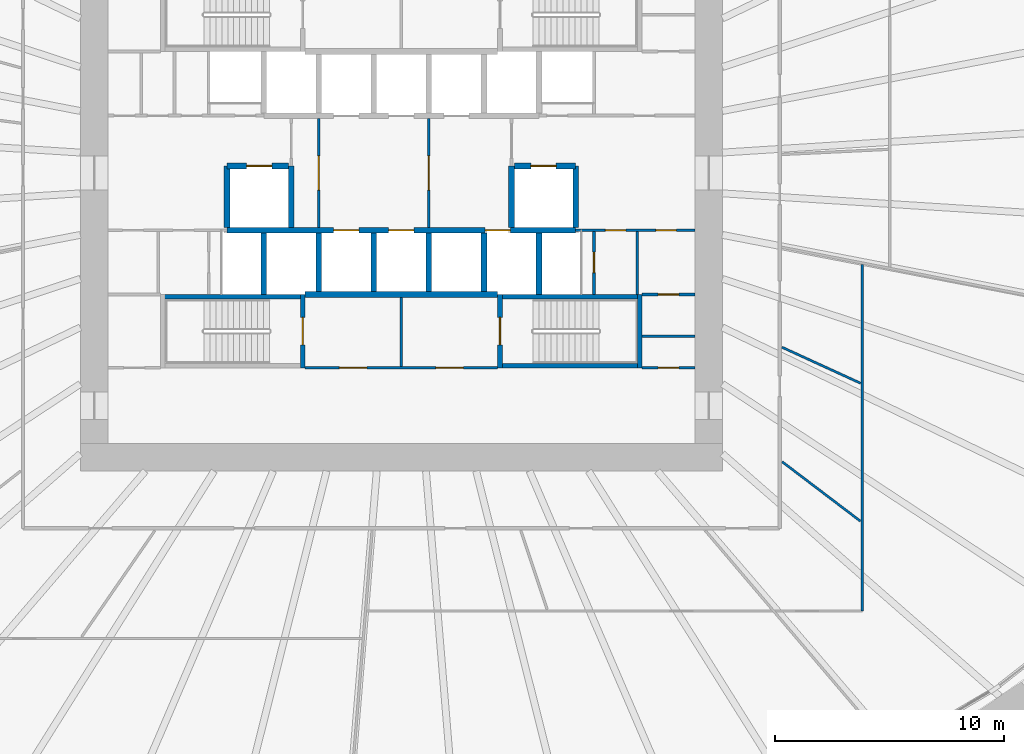
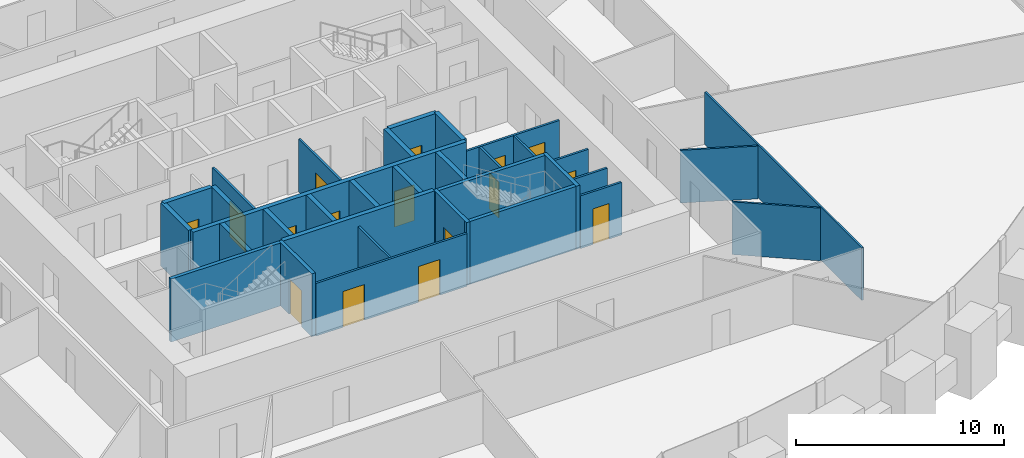
# One storey, part 7 of 11: 33 walls, 16 doors, 16 openings.
"""IFC4 building model written with IfcOpenShell, lengths in metres."""

from ifc_helpers import new_model, si_unit, direction, frame, frame_2d, origin, place, context, subcontext, project, spatial, rectangle, extrude, source, transform, mapped, material, layer, layer_set, type_object, element, fill, save


model = new_model("IFC4")

# Units and contexts
model_context = context("Model", 3, precision=1e-05, world=origin(), true_north=direction((0.0, 1.0)))
body_context = subcontext(model_context, "Body", "Model", "MODEL_VIEW")
ifc_project = project(units=[si_unit("LENGTHUNIT", "METRE"), si_unit("AREAUNIT", "SQUARE_METRE"), si_unit("VOLUMEUNIT", "CUBIC_METRE"), si_unit("PLANEANGLEUNIT", "RADIAN"), si_unit("MASSUNIT", "GRAM", prefix="KILO")], contexts=[model_context])

# Site, building, storey
site_placement = place(None, origin())
site = spatial("IfcSite", under=ifc_project, at=site_placement, CompositionType="ELEMENT")
building_placement = place(site_placement, origin())
building = spatial("IfcBuilding", under=site, at=building_placement, Name="Embergate Tower", CompositionType="ELEMENT")
storey_placement = place(building_placement, frame((0.0, 0.0, 109.39990234375)))
storey = spatial("IfcBuildingStorey", under=building, at=storey_placement, Name="L23", CompositionType="ELEMENT", Elevation=109.39990234375)

# Wall, opening, door
ifc_material_1 = material(Name="Core partition blockwork 120")
ifc_layer_1 = layer(ifc_material_1, 0.1201171875)
ifc_layer_set_1 = layer_set([ifc_layer_1], Name="Core partition blockwork 120")
wall_type_1 = type_object("IfcWallType", Name="Core partition blockwork 120", PredefinedType="PARTITIONING", material=ifc_layer_set_1)
shared_shape_1 = source(origin(), body_context, "Body", "SweptSolid", [
    extrude(rectangle(XDim=2.739990234375, YDim=0.1201171875, at=frame_2d((1.3701171875, 0.0))), origin(), (0.0, 0.0, 1.0), 3.10009765625),
])
wall_1_placement = place(storey_placement, frame((8.39990234375, -5.300048828125, 0.0), z_axis=(0.0, 0.0, 1.0), x_axis=(0.0, 1.0, 0.0)))
wall_1 = element("IfcWall", 1, at=wall_1_placement, inside=storey, type_object=wall_type_1, Name="IP-3 wall", PredefinedType="PARTITIONING", context=body_context, shape_type="MappedRepresentation", body=[
    mapped(shared_shape_1, transform((0.0, 0.0, 0.0))),
])
shared_shape_2 = source(origin(), body_context, "Body", "SweptSolid", [
    extrude(rectangle(XDim=0.89990234375, YDim=2.10009765625, at=frame_2d((0.449951171875, 1.050048828125))), frame((0.0, 0.070068359375, 0.0), z_axis=(0.0, -1.0, 0.0), x_axis=(1.0, 0.0, 0.0)), (0.0, 0.0, 1.0), 0.14013671875),
])
opening_1_placement = place(wall_1_placement, frame((0.949951171875, 0.0, 0.0)))
opening_1 = element("IfcOpeningElement", 2, at=opening_1_placement, cuts=wall_1, Name="Opening ID-1", PredefinedType="OPENING", context=body_context, shape_type="MappedRepresentation", body=[
    mapped(shared_shape_2, transform((0.0, 0.0, 0.0))),
])
ifc_material_2 = material(Name="Interior door 900")
door_type_1 = type_object("IfcDoorType", Name="Interior door 900", OperationType="SINGLE_SWING_LEFT", PredefinedType="DOOR", material=ifc_material_2)
shared_shape_3 = source(origin(), body_context, "Body", "SweptSolid", [
    extrude(rectangle(XDim=0.89990234375, YDim=2.10009765625, at=frame_2d((0.449951171875, 1.050048828125))), frame((0.0, 0.02490234375, 0.0), z_axis=(0.0, -1.0, 0.0), x_axis=(1.0, 0.0, 0.0)), (0.0, 0.0, 1.0), 0.050048828125),
])
door_1_placement = place(opening_1_placement, origin())
door_1 = element("IfcDoor", 3, at=door_1_placement, inside=storey, type_object=door_type_1, Name="ID-1 door", OperationType="SINGLE_SWING_RIGHT", OverallHeight=2.10009765625, OverallWidth=0.89990234375, PredefinedType="DOOR", context=body_context, shape_type="MappedRepresentation", body=[
    mapped(shared_shape_3, transform((0.0, 0.0, 0.0))),
])
fill(opening_1, door_1)

# Wall
wall_2_placement = place(storey_placement, frame((10.2919921875, -5.300048828125, 0.0), z_axis=(0.0, 0.0, 1.0), x_axis=(0.0, 1.0, 0.0)))
element("IfcWall", 4, at=wall_2_placement, inside=storey, type_object=wall_type_1, Name="IP-3 wall", PredefinedType="PARTITIONING", context=body_context, shape_type="MappedRepresentation", body=[
    mapped(shared_shape_1, transform((0.0, 0.0, 0.0))),
])

# Wall, openings, doors
shared_shape_4 = source(origin(), body_context, "Body", "SweptSolid", [
    extrude(rectangle(XDim=5.199951171875, YDim=0.1201171875, at=frame_2d((2.60009765625, 0.0))), origin(), (0.0, 0.0, 1.0), 3.10009765625),
])
wall_3_placement = place(storey_placement, frame((12.800048828125, -2.5, 0.0), z_axis=(0.0, 0.0, 1.0), x_axis=(-1.0, 0.0, 0.0)))
wall_3 = element("IfcWall", 5, at=wall_3_placement, inside=storey, type_object=wall_type_1, Name="IP-3 wall", PredefinedType="PARTITIONING", context=body_context, shape_type="MappedRepresentation", body=[
    mapped(shared_shape_4, transform((0.0, 0.0, 0.0))),
])
opening_2_placement = place(wall_3_placement, frame((3.00390625, 0.0, 0.0)))
opening_2 = element("IfcOpeningElement", 6, at=opening_2_placement, cuts=wall_3, Name="Opening ID-1", PredefinedType="OPENING", context=body_context, shape_type="MappedRepresentation", body=[
    mapped(shared_shape_2, transform((0.0, 0.0, 0.0))),
])
opening_3_placement = place(wall_3_placement, frame((0.803955078125, 0.0, 0.0)))
opening_3 = element("IfcOpeningElement", 7, at=opening_3_placement, cuts=wall_3, Name="Opening ID-1", PredefinedType="OPENING", context=body_context, shape_type="MappedRepresentation", body=[
    mapped(shared_shape_2, transform((0.0, 0.0, 0.0))),
])
door_2_placement = place(opening_2_placement, origin())
door_2 = element("IfcDoor", 8, at=door_2_placement, inside=storey, type_object=door_type_1, Name="ID-1 door", OperationType="SINGLE_SWING_RIGHT", OverallHeight=2.10009765625, OverallWidth=0.89990234375, PredefinedType="DOOR", context=body_context, shape_type="MappedRepresentation", body=[
    mapped(shared_shape_3, transform((0.0, 0.0, 0.0))),
])
fill(opening_2, door_2)
door_3_placement = place(opening_3_placement, origin())
door_3 = element("IfcDoor", 9, at=door_3_placement, inside=storey, type_object=door_type_1, Name="ID-1 door", OperationType="SINGLE_SWING_RIGHT", OverallHeight=2.10009765625, OverallWidth=0.89990234375, PredefinedType="DOOR", context=body_context, shape_type="MappedRepresentation", body=[
    mapped(shared_shape_3, transform((0.0, 0.0, 0.0))),
])
fill(opening_3, door_3)

# Wall, opening, door
shared_shape_5 = source(origin(), body_context, "Body", "SweptSolid", [
    extrude(rectangle(XDim=4.75, YDim=0.1201171875, at=frame_2d((2.375, 0.0))), origin(), (0.0, 0.0, 1.0), 3.10009765625),
])
wall_4_placement = place(storey_placement, frame((-3.60009765625, -2.375, 0.0), z_axis=(0.0, 0.0, 1.0), x_axis=(0.0, 1.0, 0.0)))
wall_4 = element("IfcWall", 10, at=wall_4_placement, inside=storey, type_object=wall_type_1, Name="IP-3 wall", PredefinedType="PARTITIONING", context=body_context, shape_type="MappedRepresentation", body=[
    mapped(shared_shape_5, transform((0.0, 0.0, 0.0))),
])
shared_shape_6 = source(origin(), body_context, "Body", "SweptSolid", [
    extrude(rectangle(XDim=1.5, YDim=2.10009765625, at=frame_2d((0.75, 1.050048828125))), frame((0.0, 0.070068359375, 0.0), z_axis=(0.0, -1.0, 0.0), x_axis=(1.0, 0.0, 0.0)), (0.0, 0.0, 1.0), 0.14013671875),
])
opening_4_placement = place(wall_4_placement, frame((1.625, 0.0, 0.0)))
opening_4 = element("IfcOpeningElement", 11, at=opening_4_placement, cuts=wall_4, Name="Opening IF-3", PredefinedType="OPENING", context=body_context, shape_type="MappedRepresentation", body=[
    mapped(shared_shape_6, transform((0.0, 0.0, 0.0))),
])
ifc_material_3 = material(Name="Lobby fire door pair 1500")
door_type_2 = type_object("IfcDoorType", Name="Lobby fire door pair 1500", OperationType="DOUBLE_DOOR_SINGLE_SWING", PredefinedType="DOOR", material=ifc_material_3)
shared_shape_7 = source(origin(), body_context, "Body", "SweptSolid", [
    extrude(rectangle(XDim=1.5, YDim=2.10009765625, at=frame_2d((0.75, 1.050048828125))), frame((0.0, 0.02490234375, 0.0), z_axis=(0.0, -1.0, 0.0), x_axis=(1.0, 0.0, 0.0)), (0.0, 0.0, 1.0), 0.050048828125),
])
door_4_placement = place(opening_4_placement, origin())
door_4 = element("IfcDoor", 12, at=door_4_placement, inside=storey, type_object=door_type_2, Name="IF-3 door", OperationType="DOUBLE_DOOR_SINGLE_SWING", OverallHeight=2.10009765625, OverallWidth=1.5, PredefinedType="DOOR", context=body_context, shape_type="MappedRepresentation", body=[
    mapped(shared_shape_7, transform((0.0, 0.0, 0.0))),
])
fill(opening_4, door_4)

wall_5_placement = place(storey_placement, frame((1.199951171875, -2.375, 0.0), z_axis=(0.0, 0.0, 1.0), x_axis=(0.0, 1.0, 0.0)))
wall_5 = element("IfcWall", 13, at=wall_5_placement, inside=storey, type_object=wall_type_1, Name="IP-3 wall", PredefinedType="PARTITIONING", context=body_context, shape_type="MappedRepresentation", body=[
    mapped(shared_shape_5, transform((0.0, 0.0, 0.0))),
])
opening_5_placement = place(wall_5_placement, frame((1.625, 0.0, 0.0)))
opening_5 = element("IfcOpeningElement", 14, at=opening_5_placement, cuts=wall_5, Name="Opening IF-3", PredefinedType="OPENING", context=body_context, shape_type="MappedRepresentation", body=[
    mapped(shared_shape_6, transform((0.0, 0.0, 0.0))),
])
door_5_placement = place(opening_5_placement, origin())
door_5 = element("IfcDoor", 15, at=door_5_placement, inside=storey, type_object=door_type_2, Name="IF-3 door", OperationType="DOUBLE_DOOR_SINGLE_SWING", OverallHeight=2.10009765625, OverallWidth=1.5, PredefinedType="DOOR", context=body_context, shape_type="MappedRepresentation", body=[
    mapped(shared_shape_7, transform((0.0, 0.0, 0.0))),
])
fill(opening_5, door_5)

# Wall
shared_shape_8 = source(origin(), body_context, "Body", "SweptSolid", [
    extrude(rectangle(XDim=3.014892578125, YDim=0.1201171875, at=frame_2d((1.50732421875, 0.0))), origin(), (0.0, 0.0, 1.0), 3.10009765625),
])
wall_6_placement = place(storey_placement, frame((0.0, -8.43994140625, 0.0), z_axis=(0.0, 0.0, 1.0), x_axis=(0.0, 1.0, 0.0)))
element("IfcWall", 16, at=wall_6_placement, inside=storey, type_object=wall_type_1, Name="IP-3 wall", PredefinedType="PARTITIONING", context=body_context, shape_type="MappedRepresentation", body=[
    mapped(shared_shape_8, transform((0.0, 0.0, 0.0))),
])

# Wall, openings, doors
shared_shape_9 = source(origin(), body_context, "Body", "SweptSolid", [
    extrude(rectangle(XDim=8.39990234375, YDim=0.1201171875, at=frame_2d((4.199951171875, 0.0))), origin(), (0.0, 0.0, 1.0), 3.10009765625),
])
wall_7_placement = place(storey_placement, frame((-4.199951171875, -8.5, 0.0), z_axis=(0.0, 0.0, 1.0), x_axis=(1.0, 0.0, 0.0)))
wall_7 = element("IfcWall", 17, at=wall_7_placement, inside=storey, type_object=wall_type_1, Name="IP-3 wall", PredefinedType="PARTITIONING", context=body_context, shape_type="MappedRepresentation", body=[
    mapped(shared_shape_9, transform((0.0, 0.0, 0.0))),
])
shared_shape_10 = source(origin(), body_context, "Body", "SweptSolid", [
    extrude(rectangle(XDim=1.199951171875, YDim=2.10009765625, at=frame_2d((0.60009765625, 1.050048828125))), frame((0.0, 0.070068359375, 0.0), z_axis=(0.0, -1.0, 0.0), x_axis=(1.0, 0.0, 0.0)), (0.0, 0.0, 1.0), 0.14013671875),
])
opening_6_placement = place(wall_7_placement, frame((1.5, 0.0, 0.0)))
opening_6 = element("IfcOpeningElement", 18, at=opening_6_placement, cuts=wall_7, Name="Opening IF-3f", PredefinedType="OPENING", context=body_context, shape_type="MappedRepresentation", body=[
    mapped(shared_shape_10, transform((0.0, 0.0, 0.0))),
])
opening_7_placement = place(wall_7_placement, frame((5.699951171875, 0.0, 0.0)))
opening_7 = element("IfcOpeningElement", 19, at=opening_7_placement, cuts=wall_7, Name="Opening IF-3f", PredefinedType="OPENING", context=body_context, shape_type="MappedRepresentation", body=[
    mapped(shared_shape_10, transform((0.0, 0.0, 0.0))),
])
ifc_material_4 = material(Name="Lobby fire door pair 1200")
door_type_3 = type_object("IfcDoorType", Name="Lobby fire door pair 1200", OperationType="DOUBLE_DOOR_SINGLE_SWING", PredefinedType="DOOR", material=ifc_material_4)
shared_shape_11 = source(origin(), body_context, "Body", "SweptSolid", [
    extrude(rectangle(XDim=1.199951171875, YDim=2.10009765625, at=frame_2d((0.60009765625, 1.050048828125))), frame((0.0, 0.02490234375, 0.0), z_axis=(0.0, -1.0, 0.0), x_axis=(1.0, 0.0, 0.0)), (0.0, 0.0, 1.0), 0.050048828125),
])
door_6_placement = place(opening_6_placement, origin())
door_6 = element("IfcDoor", 20, at=door_6_placement, inside=storey, type_object=door_type_3, Name="IF-3 door", OperationType="DOUBLE_DOOR_SINGLE_SWING", OverallHeight=2.10009765625, OverallWidth=1.199951171875, PredefinedType="DOOR", context=body_context, shape_type="MappedRepresentation", body=[
    mapped(shared_shape_11, transform((0.0, 0.0, 0.0))),
])
fill(opening_6, door_6)
door_7_placement = place(opening_7_placement, origin())
door_7 = element("IfcDoor", 21, at=door_7_placement, inside=storey, type_object=door_type_3, Name="IF-3 door", OperationType="DOUBLE_DOOR_SINGLE_SWING", OverallHeight=2.10009765625, OverallWidth=1.199951171875, PredefinedType="DOOR", context=body_context, shape_type="MappedRepresentation", body=[
    mapped(shared_shape_11, transform((0.0, 0.0, 0.0))),
])
fill(opening_7, door_7)

# Wall, opening, door
shared_shape_12 = source(origin(), body_context, "Body", "SweptSolid", [
    extrude(rectangle(XDim=2.300048828125, YDim=0.1201171875, at=frame_2d((1.14990234375, 0.0))), origin(), (0.0, 0.0, 1.0), 3.10009765625),
])
wall_8_placement = place(storey_placement, frame((12.800048828125, -8.5, 0.0), z_axis=(0.0, 0.0, 1.0), x_axis=(-1.0, 0.0, 0.0)))
wall_8 = element("IfcWall", 22, at=wall_8_placement, inside=storey, type_object=wall_type_1, Name="IP-3 wall", PredefinedType="PARTITIONING", context=body_context, shape_type="MappedRepresentation", body=[
    mapped(shared_shape_12, transform((0.0, 0.0, 0.0))),
])
opening_8_placement = place(wall_8_placement, frame((0.699951171875, 0.0, 0.0)))
opening_8 = element("IfcOpeningElement", 23, at=opening_8_placement, cuts=wall_8, Name="Opening ID-1", PredefinedType="OPENING", context=body_context, shape_type="MappedRepresentation", body=[
    mapped(shared_shape_2, transform((0.0, 0.0, 0.0))),
])
door_8_placement = place(opening_8_placement, origin())
door_8 = element("IfcDoor", 24, at=door_8_placement, inside=storey, type_object=door_type_1, Name="ID-1 door", OperationType="SINGLE_SWING_RIGHT", OverallHeight=2.10009765625, OverallWidth=0.89990234375, PredefinedType="DOOR", context=body_context, shape_type="MappedRepresentation", body=[
    mapped(shared_shape_3, transform((0.0, 0.0, 0.0))),
])
fill(opening_8, door_8)

wall_9_placement = place(storey_placement, frame((10.5, -5.300048828125, 0.0), z_axis=(0.0, 0.0, 1.0), x_axis=(1.0, 0.0, 0.0)))
wall_9 = element("IfcWall", 25, at=wall_9_placement, inside=storey, type_object=wall_type_1, Name="IP-3 wall", PredefinedType="PARTITIONING", context=body_context, shape_type="MappedRepresentation", body=[
    mapped(shared_shape_12, transform((0.0, 0.0, 0.0))),
])
opening_9_placement = place(wall_9_placement, frame((0.699951171875, 0.0, 0.0)))
opening_9 = element("IfcOpeningElement", 26, at=opening_9_placement, cuts=wall_9, Name="Opening ID-1", PredefinedType="OPENING", context=body_context, shape_type="MappedRepresentation", body=[
    mapped(shared_shape_2, transform((0.0, 0.0, 0.0))),
])
door_9_placement = place(opening_9_placement, origin())
door_9 = element("IfcDoor", 27, at=door_9_placement, inside=storey, type_object=door_type_1, Name="ID-1 door", OperationType="SINGLE_SWING_LEFT", OverallHeight=2.10009765625, OverallWidth=0.89990234375, PredefinedType="DOOR", context=body_context, shape_type="MappedRepresentation", body=[
    mapped(shared_shape_3, transform((0.0, 0.0, 0.0))),
])
fill(opening_9, door_9)

# Walls
wall_10_placement = place(storey_placement, frame((12.800048828125, -7.1240234375, 0.0), z_axis=(0.0, 0.0, 1.0), x_axis=(-1.0, 0.0, 0.0)))
element("IfcWall", 28, at=wall_10_placement, inside=storey, type_object=wall_type_1, Name="IP-3 wall", PredefinedType="PARTITIONING", context=body_context, shape_type="MappedRepresentation", body=[
    mapped(shared_shape_12, transform((0.0, 0.0, 0.0))),
])
ifc_material_5 = material(Name="Concrete C50", Category="concrete")
ifc_layer_2 = layer(ifc_material_5, 0.25)
ifc_layer_set_2 = layer_set([ifc_layer_2], Name="Concrete C50")
wall_type_2 = type_object("IfcWallType", Name="Hoistway wall reinforced concrete 250", PredefinedType="SHEAR", material=ifc_layer_set_2)
shared_shape_13 = source(origin(), body_context, "Body", "SweptSolid", [
    extrude(rectangle(XDim=2.675048828125, YDim=0.25, at=frame_2d((1.33740234375, 0.0))), origin(), (0.0, 0.0, 1.0), 3.7001953125),
])
for number, where, z_axis, x_axis, name in (
    (29, (-6.0, -5.300048828125, 0.0), (0.0, 0.0, 1.0), (0.0, 1.0, 0.0), "HW-1 wall"),
    (30, (6.0, -5.300048828125, 0.0), (0.0, 0.0, 1.0), (0.0, 1.0, 0.0), "HW-1 wall"),
    (31, (-4.800048828125, 0.300048828125, 0.0), (0.0, 0.0, 1.0), (0.0, -1.0, 0.0), "HW-1 wall"),
    (32, (4.800048828125, -2.375, 0.0), (0.0, 0.0, 1.0), (0.0, 1.0, 0.0), "HW-1 wall"),
):
    element("IfcWall", number, at=place(storey_placement, frame(where, z_axis=z_axis, x_axis=x_axis)), inside=storey, type_object=wall_type_2, Name=name, PredefinedType="SHEAR", context=body_context, shape_type="MappedRepresentation", body=[
        mapped(shared_shape_13, transform((0.0, 0.0, 0.0))),
    ])

# Wall, opening, door
wall_11_placement = place(storey_placement, frame((-4.925048828125, 0.300048828125, 0.0), z_axis=(0.0, 0.0, 1.0), x_axis=(-1.0, 0.0, 0.0)))
wall_11 = element("IfcWall", 33, at=wall_11_placement, inside=storey, type_object=wall_type_2, Name="HW-1 wall", PredefinedType="SHEAR", context=body_context, shape_type="MappedRepresentation", body=[
    mapped(shared_shape_13, transform((0.0, 0.0, 0.0))),
])
shared_shape_14 = source(origin(), body_context, "Body", "SweptSolid", [
    extrude(rectangle(XDim=1.10009765625, YDim=2.10009765625, at=frame_2d((0.550048828125, 1.050048828125))), frame((0.0, 0.135009765625, 0.0), z_axis=(0.0, -1.0, 0.0), x_axis=(1.0, 0.0, 0.0)), (0.0, 0.0, 1.0), 0.27001953125),
])
opening_10_placement = place(wall_11_placement, frame((0.72509765625, 0.0, 0.0)))
opening_10 = element("IfcOpeningElement", 34, at=opening_10_placement, cuts=wall_11, Name="Opening LD", PredefinedType="OPENING", context=body_context, shape_type="MappedRepresentation", body=[
    mapped(shared_shape_14, transform((0.0, 0.0, 0.0))),
])
ifc_material_6 = material(Name="Landing door sliding 1100")
door_type_4 = type_object("IfcDoorType", Name="Landing door sliding 1100", OperationType="SLIDING_TO_LEFT", PredefinedType="DOOR", material=ifc_material_6)
shared_shape_15 = source(origin(), body_context, "Body", "SweptSolid", [
    extrude(rectangle(XDim=1.10009765625, YDim=2.10009765625, at=frame_2d((0.550048828125, 1.050048828125))), frame((0.0, 0.02490234375, 0.0), z_axis=(0.0, -1.0, 0.0), x_axis=(1.0, 0.0, 0.0)), (0.0, 0.0, 1.0), 0.050048828125),
])
door_10_placement = place(opening_10_placement, origin())
door_10 = element("IfcDoor", 35, at=door_10_placement, inside=storey, type_object=door_type_4, Name="LD door", OperationType="SLIDING_TO_RIGHT", OverallHeight=2.10009765625, OverallWidth=1.10009765625, PredefinedType="DOOR", context=body_context, shape_type="MappedRepresentation", body=[
    mapped(shared_shape_15, transform((0.0, 0.0, 0.0))),
])
fill(opening_10, door_10)

# Wall
wall_12_placement = place(storey_placement, frame((-7.60009765625, 0.300048828125, 0.0), z_axis=(0.0, 0.0, 1.0), x_axis=(0.0, -1.0, 0.0)))
element("IfcWall", 36, at=wall_12_placement, inside=storey, type_object=wall_type_2, Name="HW-1 wall", PredefinedType="SHEAR", context=body_context, shape_type="MappedRepresentation", body=[
    mapped(shared_shape_13, transform((0.0, 0.0, 0.0))),
])

# Wall, opening, door
wall_13_placement = place(storey_placement, frame((7.60009765625, 0.300048828125, 0.0), z_axis=(0.0, 0.0, 1.0), x_axis=(-1.0, 0.0, 0.0)))
wall_13 = element("IfcWall", 37, at=wall_13_placement, inside=storey, type_object=wall_type_2, Name="HW-1 wall", PredefinedType="SHEAR", context=body_context, shape_type="MappedRepresentation", body=[
    mapped(shared_shape_13, transform((0.0, 0.0, 0.0))),
])
opening_11_placement = place(wall_13_placement, frame((0.85009765625, 0.0, 0.0)))
opening_11 = element("IfcOpeningElement", 38, at=opening_11_placement, cuts=wall_13, Name="Opening LD", PredefinedType="OPENING", context=body_context, shape_type="MappedRepresentation", body=[
    mapped(shared_shape_14, transform((0.0, 0.0, 0.0))),
])
door_11_placement = place(opening_11_placement, origin())
door_11 = element("IfcDoor", 39, at=door_11_placement, inside=storey, type_object=door_type_4, Name="LD door", OperationType="SLIDING_TO_RIGHT", OverallHeight=2.10009765625, OverallWidth=1.10009765625, PredefinedType="DOOR", context=body_context, shape_type="MappedRepresentation", body=[
    mapped(shared_shape_15, transform((0.0, 0.0, 0.0))),
])
fill(opening_11, door_11)

# Walls
wall_14_placement = place(storey_placement, frame((7.60009765625, -2.375, 0.0), z_axis=(0.0, 0.0, 1.0), x_axis=(0.0, 1.0, 0.0)))
element("IfcWall", 40, at=wall_14_placement, inside=storey, type_object=wall_type_2, Name="HW-1 wall", PredefinedType="SHEAR", context=body_context, shape_type="MappedRepresentation", body=[
    mapped(shared_shape_13, transform((0.0, 0.0, 0.0))),
])
ifc_layer_3 = layer(ifc_material_5, 0.199951171875)
ifc_layer_set_3 = layer_set([ifc_layer_3], Name="Concrete C50")
wall_type_3 = type_object("IfcWallType", Name="Stair enclosure wall reinforced concrete 250", PredefinedType="SHEAR", material=ifc_layer_set_3)
shared_shape_16 = source(origin(), body_context, "Body", "SweptSolid", [
    extrude(rectangle(XDim=6.300048828125, YDim=0.199951171875, at=frame_2d((3.14990234375, 0.0))), origin(), (0.0, 0.0, 1.0), 3.7001953125),
])
for number, where, z_axis, x_axis, name in (
    (41, (-10.5, -5.39990234375, 0.0), (0.0, 0.0, 1.0), (1.0, 0.0, 0.0), "SE-1 wall"),
    (42, (4.199951171875, -5.39990234375, 0.0), (0.0, 0.0, 1.0), (1.0, 0.0, 0.0), "SE-1 wall"),
    (43, (4.199951171875, -8.39990234375, 0.0), (0.0, 0.0, 1.0), (1.0, 0.0, 0.0), "SE-1 wall"),
):
    element("IfcWall", number, at=place(storey_placement, frame(where, z_axis=z_axis, x_axis=x_axis)), inside=storey, type_object=wall_type_3, Name=name, PredefinedType="SHEAR", context=body_context, shape_type="MappedRepresentation", body=[
        mapped(shared_shape_16, transform((0.0, 0.0, 0.0))),
    ])
shared_shape_17 = source(origin(), body_context, "Body", "SweptSolid", [
    extrude(rectangle(XDim=2.550048828125, YDim=0.25, at=frame_2d((1.27490234375, 0.0))), origin(), (0.0, 0.0, 1.0), 3.7001953125),
])
for number, where, z_axis, x_axis, name in (
    (44, (-3.60009765625, -5.175048828125, 0.0), (0.0, 0.0, 1.0), (0.0, 1.0, 0.0), "HW-1 wall"),
    (45, (-1.199951171875, -5.175048828125, 0.0), (0.0, 0.0, 1.0), (0.0, 1.0, 0.0), "HW-1 wall"),
    (46, (1.199951171875, -5.175048828125, 0.0), (0.0, 0.0, 1.0), (0.0, 1.0, 0.0), "HW-1 wall"),
    (47, (3.60009765625, -5.175048828125, 0.0), (0.0, 0.0, 1.0), (0.0, 1.0, 0.0), "HW-1 wall"),
):
    element("IfcWall", number, at=place(storey_placement, frame(where, z_axis=z_axis, x_axis=x_axis)), inside=storey, type_object=wall_type_2, Name=name, PredefinedType="SHEAR", context=body_context, shape_type="MappedRepresentation", body=[
        mapped(shared_shape_17, transform((0.0, 0.0, 0.0))),
    ])
shared_shape_18 = source(origin(), body_context, "Body", "SweptSolid", [
    extrude(rectangle(XDim=8.39990234375, YDim=0.25, at=frame_2d((4.199951171875, 0.0))), origin(), (0.0, 0.0, 1.0), 3.7001953125),
])
wall_15_placement = place(storey_placement, frame((-4.199951171875, -5.300048828125, 0.0), z_axis=(0.0, 0.0, 1.0), x_axis=(1.0, 0.0, 0.0)))
element("IfcWall", 48, at=wall_15_placement, inside=storey, type_object=wall_type_2, Name="HW-1 wall", PredefinedType="SHEAR", context=body_context, shape_type="MappedRepresentation", body=[
    mapped(shared_shape_18, transform((0.0, 0.0, 0.0))),
])

# Wall, openings, doors
shared_shape_19 = source(origin(), body_context, "Body", "SweptSolid", [
    extrude(rectangle(XDim=15.2001953125, YDim=0.25, at=frame_2d((7.60009765625, 0.0))), origin(), (0.0, 0.0, 1.0), 3.7001953125),
])
wall_16_placement = place(storey_placement, frame((7.60009765625, -2.5, 0.0), z_axis=(0.0, 0.0, 1.0), x_axis=(-1.0, 0.0, 0.0)))
wall_16 = element("IfcWall", 49, at=wall_16_placement, inside=storey, type_object=wall_type_2, Name="HW-1 wall", PredefinedType="SHEAR", context=body_context, shape_type="MappedRepresentation", body=[
    mapped(shared_shape_19, transform((0.0, 0.0, 0.0))),
])
opening_12_placement = place(wall_16_placement, frame((9.449951171875, 0.0, 0.0)))
opening_12 = element("IfcOpeningElement", 50, at=opening_12_placement, cuts=wall_16, Name="Opening LD", PredefinedType="OPENING", context=body_context, shape_type="MappedRepresentation", body=[
    mapped(shared_shape_14, transform((0.0, 0.0, 0.0))),
])
opening_13_placement = place(wall_16_placement, frame((7.050048828125, 0.0, 0.0)))
opening_13 = element("IfcOpeningElement", 51, at=opening_13_placement, cuts=wall_16, Name="Opening LD", PredefinedType="OPENING", context=body_context, shape_type="MappedRepresentation", body=[
    mapped(shared_shape_14, transform((0.0, 0.0, 0.0))),
])
opening_14_placement = place(wall_16_placement, frame((2.85009765625, 0.0, 0.0)))
opening_14 = element("IfcOpeningElement", 52, at=opening_14_placement, cuts=wall_16, Name="Opening LD", PredefinedType="OPENING", context=body_context, shape_type="MappedRepresentation", body=[
    mapped(shared_shape_14, transform((0.0, 0.0, 0.0))),
])
door_12_placement = place(opening_12_placement, origin())
door_12 = element("IfcDoor", 53, at=door_12_placement, inside=storey, type_object=door_type_4, Name="LD door", OperationType="SLIDING_TO_LEFT", OverallHeight=2.10009765625, OverallWidth=1.10009765625, PredefinedType="DOOR", context=body_context, shape_type="MappedRepresentation", body=[
    mapped(shared_shape_15, transform((0.0, 0.0, 0.0))),
])
fill(opening_12, door_12)
door_13_placement = place(opening_13_placement, origin())
door_13 = element("IfcDoor", 54, at=door_13_placement, inside=storey, type_object=door_type_4, Name="LD door", OperationType="SLIDING_TO_LEFT", OverallHeight=2.10009765625, OverallWidth=1.10009765625, PredefinedType="DOOR", context=body_context, shape_type="MappedRepresentation", body=[
    mapped(shared_shape_15, transform((0.0, 0.0, 0.0))),
])
fill(opening_13, door_13)
door_14_placement = place(opening_14_placement, origin())
door_14 = element("IfcDoor", 55, at=door_14_placement, inside=storey, type_object=door_type_4, Name="LD door", OperationType="SLIDING_TO_LEFT", OverallHeight=2.10009765625, OverallWidth=1.10009765625, PredefinedType="DOOR", context=body_context, shape_type="MappedRepresentation", body=[
    mapped(shared_shape_15, transform((0.0, 0.0, 0.0))),
])
fill(opening_14, door_14)

# Wall, opening, door
shared_shape_20 = source(origin(), body_context, "Body", "SweptSolid", [
    extrude(rectangle(XDim=3.199951171875, YDim=0.199951171875, at=frame_2d((1.60009765625, 0.0))), origin(), (0.0, 0.0, 1.0), 3.7001953125),
])
wall_17_placement = place(storey_placement, frame((-4.300048828125, -8.5, 0.0), z_axis=(0.0, 0.0, 1.0), x_axis=(0.0, 1.0, 0.0)))
wall_17 = element("IfcWall", 56, at=wall_17_placement, inside=storey, type_object=wall_type_3, Name="SE-1 wall", PredefinedType="SHEAR", context=body_context, shape_type="MappedRepresentation", body=[
    mapped(shared_shape_20, transform((0.0, 0.0, 0.0))),
])
shared_shape_21 = source(origin(), body_context, "Body", "SweptSolid", [
    extrude(rectangle(XDim=1.199951171875, YDim=2.10009765625, at=frame_2d((0.60009765625, 1.050048828125))), frame((0.0, 0.10986328125, 0.0), z_axis=(0.0, -1.0, 0.0), x_axis=(1.0, 0.0, 0.0)), (0.0, 0.0, 1.0), 0.219970703125),
])
opening_15_placement = place(wall_17_placement, frame((1.0, 0.0, 0.0)))
opening_15 = element("IfcOpeningElement", 57, at=opening_15_placement, cuts=wall_17, Name="Opening IF-2", PredefinedType="OPENING", context=body_context, shape_type="MappedRepresentation", body=[
    mapped(shared_shape_21, transform((0.0, 0.0, 0.0))),
])
ifc_material_7 = material(Name="Stair enclosure door 1200")
door_type_5 = type_object("IfcDoorType", Name="Stair enclosure door 1200", OperationType="SINGLE_SWING_LEFT", PredefinedType="DOOR", material=ifc_material_7)
door_15_placement = place(opening_15_placement, origin())
door_15 = element("IfcDoor", 58, at=door_15_placement, inside=storey, type_object=door_type_5, Name="IF-2 door", OperationType="SINGLE_SWING_RIGHT", OverallHeight=2.10009765625, OverallWidth=1.199951171875, PredefinedType="DOOR", context=body_context, shape_type="MappedRepresentation", body=[
    mapped(shared_shape_11, transform((0.0, 0.0, 0.0))),
])
fill(opening_15, door_15)

wall_18_placement = place(storey_placement, frame((4.300048828125, -5.300048828125, 0.0), z_axis=(0.0, 0.0, 1.0), x_axis=(0.0, -1.0, 0.0)))
wall_18 = element("IfcWall", 59, at=wall_18_placement, inside=storey, type_object=wall_type_3, Name="SE-1 wall", PredefinedType="SHEAR", context=body_context, shape_type="MappedRepresentation", body=[
    mapped(shared_shape_20, transform((0.0, 0.0, 0.0))),
])
opening_16_placement = place(wall_18_placement, frame((1.0, 0.0, 0.0)))
opening_16 = element("IfcOpeningElement", 60, at=opening_16_placement, cuts=wall_18, Name="Opening IF-2", PredefinedType="OPENING", context=body_context, shape_type="MappedRepresentation", body=[
    mapped(shared_shape_21, transform((0.0, 0.0, 0.0))),
])
door_16_placement = place(opening_16_placement, origin())
door_16 = element("IfcDoor", 61, at=door_16_placement, inside=storey, type_object=door_type_5, Name="IF-2 door", OperationType="SINGLE_SWING_RIGHT", OverallHeight=2.10009765625, OverallWidth=1.199951171875, PredefinedType="DOOR", context=body_context, shape_type="MappedRepresentation", body=[
    mapped(shared_shape_11, transform((0.0, 0.0, 0.0))),
])
fill(opening_16, door_16)

# Walls
wall_19_placement = place(storey_placement, frame((10.39990234375, -8.5, 0.0), z_axis=(0.0, 0.0, 1.0), x_axis=(0.0, 1.0, 0.0)))
element("IfcWall", 62, at=wall_19_placement, inside=storey, type_object=wall_type_3, Name="SE-1 wall", PredefinedType="SHEAR", context=body_context, shape_type="MappedRepresentation", body=[
    mapped(shared_shape_20, transform((0.0, 0.0, 0.0))),
])
ifc_material_8 = material(Name="Partition dry-lined 100")
ifc_layer_4 = layer(ifc_material_8, 0.10009765625)
ifc_layer_set_4 = layer_set([ifc_layer_4], Name="Partition dry-lined 100")
wall_type_4 = type_object("IfcWallType", Name="Partition dry-lined 100", PredefinedType="PARTITIONING", material=ifc_layer_set_4)
shared_shape_22 = source(origin(), body_context, "Body", "SweptSolid", [
    extrude(rectangle(XDim=4.2861328125, YDim=0.10009765625, at=frame_2d((2.14306640625, 0.0))), origin(), (0.0, 0.0, 1.0), 3.10009765625),
])
wall_20_placement = place(storey_placement, frame((16.60498046875, -12.593994140625, 0.0), z_axis=(0.0, 0.0, 1.0), x_axis=(0.796762197245, -0.604292976164, 0.0)))
element("IfcWall", 63, at=wall_20_placement, inside=storey, type_object=wall_type_4, Name="IP-1 wall", PredefinedType="PARTITIONING", context=body_context, shape_type="MappedRepresentation", body=[
    mapped(shared_shape_22, transform((0.0, 0.0, 0.0))),
])
shared_shape_23 = source(origin(), body_context, "Body", "SweptSolid", [
    extrude(rectangle(XDim=15.113037109375, YDim=0.10009765625, at=frame_2d((7.556640625, 0.0))), origin(), (0.0, 0.0, 1.0), 3.10009765625),
])
wall_21_placement = place(storey_placement, frame((20.10009765625, -3.987060546875, 0.0), z_axis=(0.0, 0.0, 1.0), x_axis=(0.0, -1.0, 0.0)))
element("IfcWall", 64, at=wall_21_placement, inside=storey, type_object=wall_type_4, Name="IP-1 wall", PredefinedType="PARTITIONING", context=body_context, shape_type="MappedRepresentation", body=[
    mapped(shared_shape_23, transform((0.0, 0.0, 0.0))),
])
shared_shape_24 = source(origin(), body_context, "Body", "SweptSolid", [
    extrude(rectangle(XDim=3.77587890625, YDim=0.10009765625, at=frame_2d((1.887939453125, 0.0))), origin(), (0.0, 0.0, 1.0), 3.10009765625),
])
wall_22_placement = place(storey_placement, frame((20.029052734375, -9.1708984375, 0.0), z_axis=(0.0, 0.0, 1.0), x_axis=(-0.909238220108, 0.416276181273, 0.0)))
element("IfcWall", 65, at=wall_22_placement, inside=storey, type_object=wall_type_4, Name="IP-1 wall", PredefinedType="PARTITIONING", context=body_context, shape_type="MappedRepresentation", body=[
    mapped(shared_shape_24, transform((0.0, 0.0, 0.0))),
])

save(model, "model.ifc")
